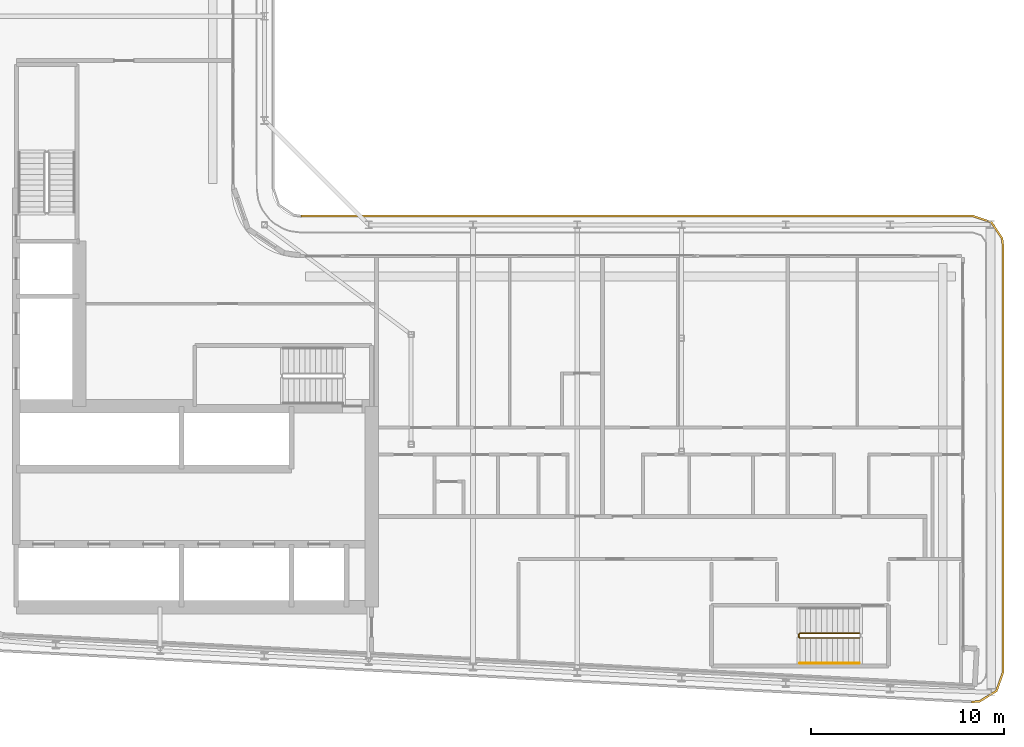
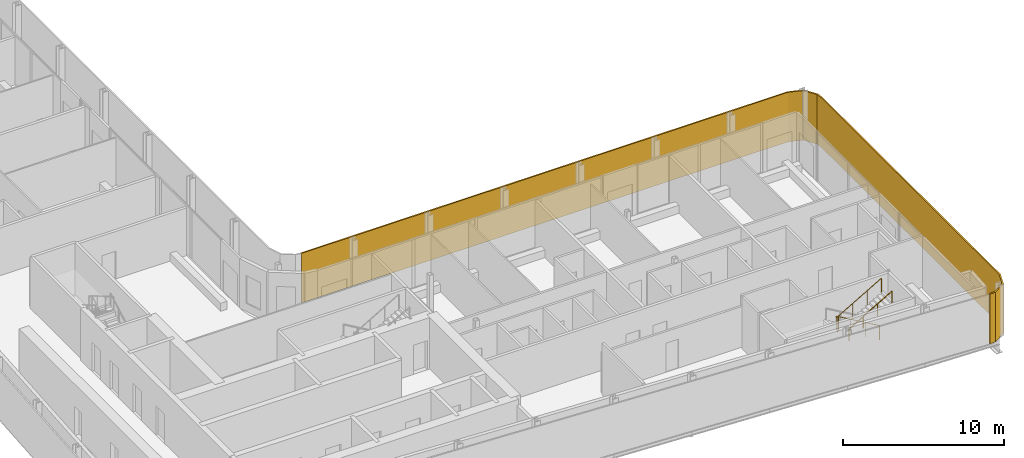
# One storey, part 17 of 21: 2 railings, 1 shading device.
"""IFC4 building model written with IfcOpenShell, lengths in metres."""

from ifc_helpers import new_model, si_unit, direction, frame, origin, origin_2d, place, context, subcontext, project, spatial, polyline, circle, outline, extrude, material, layer, layer_set, type_object, element, save


model = new_model("IFC4")

# Units and contexts
model_context = context("Model", 3, precision=1e-05, world=origin(), true_north=direction((0.0, 1.0)))
body_context = subcontext(model_context, "Body", "Model", "MODEL_VIEW")
ifc_project = project(units=[si_unit("LENGTHUNIT", "METRE"), si_unit("AREAUNIT", "SQUARE_METRE"), si_unit("VOLUMEUNIT", "CUBIC_METRE"), si_unit("PLANEANGLEUNIT", "RADIAN"), si_unit("MASSUNIT", "GRAM", prefix="KILO")], contexts=[model_context])

# Site, building, storey
site_placement = place(None, origin())
site = spatial("IfcSite", under=ifc_project, at=site_placement, CompositionType="ELEMENT")
building_placement = place(site_placement, origin())
building = spatial("IfcBuilding", under=site, at=building_placement, Name="Kheshtan School and Residences Tower", CompositionType="ELEMENT")
storey_placement = place(building_placement, frame((0.0, 0.0, 220.10009765625)))
storey = spatial("IfcBuildingStorey", under=building, at=storey_placement, Name="L51", CompositionType="ELEMENT", Elevation=220.10009765625)

# Shading device
ifc_material_1 = material(Name="Terracotta lattice, extruded ceramic", Category="masonry")
ifc_layer = layer(ifc_material_1, 0.10009765625)
ifc_layer_set = layer_set([ifc_layer], Name="Loggia screen, terracotta lattice")
shading_device_type = type_object("IfcShadingDeviceType", Name="Loggia screen, terracotta lattice", PredefinedType="USERDEFINED", material=ifc_layer_set)
shading_device_placement = place(storey_placement, origin())
element("IfcShadingDevice", 1, at=shading_device_placement, inside=storey, type_object=shading_device_type, Name="Screen L51 2", ObjectType="SCREEN", PredefinedType="USERDEFINED", context=body_context, shape_type="SweptSolid", body=[
    extrude(outline(polyline([(49.5, 46.0), (84.300048828125, 46.0), (85.212890625, 45.68994140625), (85.7490234375, 44.887939453125), (85.800048828125, 44.5), (85.800048828125, 22.43408203125), (85.469970703125, 21.4951171875), (84.6240234375, 20.968994140625), (84.220947265625, 20.93603515625), (84.22900390625, 20.8359375), (84.656005859375, 20.87109375), (85.552978515625, 21.428955078125), (85.89990234375, 22.4169921875), (85.89990234375, 44.507080078125), (85.844970703125, 44.924072265625), (85.277099609375, 45.77392578125), (84.31689453125, 46.10009765625), (49.5, 46.10009765625), (49.5, 46.0)])), origin(), (0.0, 0.0, 1.0), 3.75),
])

# Railings
ifc_material_2 = material(Name="Stainless steel balustrade", Category="steel")
railing_type_1 = type_object("IfcRailingType", Name="Stair guard 1100", PredefinedType="GUARDRAIL", material=ifc_material_2)
railing_1_placement = place(storey_placement, frame((78.409912109375, 24.449951171875, 0.162353515625)))
element("IfcRailing", 2, at=railing_1_placement, inside=storey, type_object=railing_type_1, Name="L51 ST5 stair guard 1", PredefinedType="GUARDRAIL", context=body_context, shape_type="SweptSolid", body=[
    extrude(circle(Radius=0.02392578125, at=origin_2d()), frame((0.0, 0.0, 1.076171875), z_axis=(-0.864873446163, 0.0, 0.501989962173), x_axis=(0.0, -1.0, 0.0)), (0.0, 0.0, 1.0), 3.56103515625),
    extrude(circle(Radius=0.02392578125, at=origin_2d()), frame((-3.079833984375, 0.0, 2.86376953125), z_axis=(-0.707106781187, -0.707106781187, 0.0), x_axis=(0.707106781187, -0.707106781187, 0.0)), (0.0, 0.0, 1.0), 0.07080078125),
    extrude(circle(Radius=0.02392578125, at=origin_2d()), frame((-3.1298828125, -0.050048828125, 2.86376953125), z_axis=(0.0, -1.0, 0.0), x_axis=(1.0, 0.0, 0.0)), (0.0, 0.0, 1.0), 0.14990234375),
    extrude(circle(Radius=0.02392578125, at=origin_2d()), frame((-3.1298828125, -0.199951171875, 2.86376953125), z_axis=(0.282583949758, -0.282583949758, 0.916674763849), x_axis=(0.707106781187, 0.707106781187, 0.0)), (0.0, 0.0, 1.0), 0.177001953125),
    extrude(circle(Radius=0.02392578125, at=origin_2d()), frame((-3.079833984375, -0.25, 3.02587890625), z_axis=(0.864873446163, 0.0, 0.501989962173), x_axis=(0.0, 1.0, 0.0)), (0.0, 0.0, 1.0), 3.56103515625),
    extrude(circle(Radius=0.02099609375, at=origin_2d()), origin(), (0.0, 0.0, 1.0), 1.052001953125),
    extrude(circle(Radius=0.02099609375, at=origin_2d()), frame((-1.026611328125, 0.0, 0.595947265625)), (0.0, 0.0, 1.0), 1.052001953125),
    extrude(circle(Radius=0.02099609375, at=origin_2d()), frame((-2.05322265625, 0.0, 1.191650390625)), (0.0, 0.0, 1.0), 1.052001953125),
    extrude(circle(Radius=0.02099609375, at=origin_2d()), frame((-3.079833984375, 0.0, 1.78759765625)), (0.0, 0.0, 1.0), 1.052001953125),
    extrude(circle(Radius=0.02099609375, at=origin_2d()), frame((-3.1298828125, -0.050048828125, 1.78759765625)), (0.0, 0.0, 1.0), 1.052001953125),
    extrude(circle(Radius=0.02099609375, at=origin_2d()), frame((-3.1298828125, -0.199951171875, 1.78759765625)), (0.0, 0.0, 1.0), 1.052001953125),
    extrude(circle(Radius=0.02099609375, at=origin_2d()), frame((-3.079833984375, -0.25, 1.949951171875)), (0.0, 0.0, 1.0), 1.052001953125),
    extrude(circle(Radius=0.02099609375, at=origin_2d()), frame((-2.05322265625, -0.25, 2.5458984375)), (0.0, 0.0, 1.0), 1.052001953125),
    extrude(circle(Radius=0.02099609375, at=origin_2d()), frame((-1.026611328125, -0.25, 3.1416015625)), (0.0, 0.0, 1.0), 1.052001953125),
    extrude(circle(Radius=0.02099609375, at=origin_2d()), frame((0.0, -0.25, 3.737548828125)), (0.0, 0.0, 1.0), 1.052001953125),
])
ifc_material_3 = material(Name="Stainless steel handrail", Category="steel")
railing_type_2 = type_object("IfcRailingType", Name="Stair handrail 900", PredefinedType="HANDRAIL", material=ifc_material_3)
railing_2_placement = place(storey_placement, frame((75.330078125, 22.89990234375, 2.1123046875)))
element("IfcRailing", 3, at=railing_2_placement, inside=storey, type_object=railing_type_2, Name="L51 ST5 stair handrail 2", PredefinedType="HANDRAIL", context=body_context, shape_type="SweptSolid", body=[
    extrude(circle(Radius=0.02392578125, at=origin_2d()), frame((0.0, 0.0, 0.8759765625), z_axis=(0.864873446163, 0.0, 0.501989962173), x_axis=(0.0, 1.0, 0.0)), (0.0, 0.0, 1.0), 3.56103515625),
    extrude(circle(Radius=0.02099609375, at=origin_2d()), origin(), (0.0, 0.0, 1.0), 0.851806640625),
    extrude(circle(Radius=0.02099609375, at=origin_2d()), frame((1.026611328125, 0.0, 0.595947265625)), (0.0, 0.0, 1.0), 0.851806640625),
    extrude(circle(Radius=0.02099609375, at=origin_2d()), frame((2.05322265625, 0.0, 1.191650390625)), (0.0, 0.0, 1.0), 0.851806640625),
    extrude(circle(Radius=0.02099609375, at=origin_2d()), frame((3.079833984375, 0.0, 1.78759765625)), (0.0, 0.0, 1.0), 0.851806640625),
])

save(model, "model.ifc")
